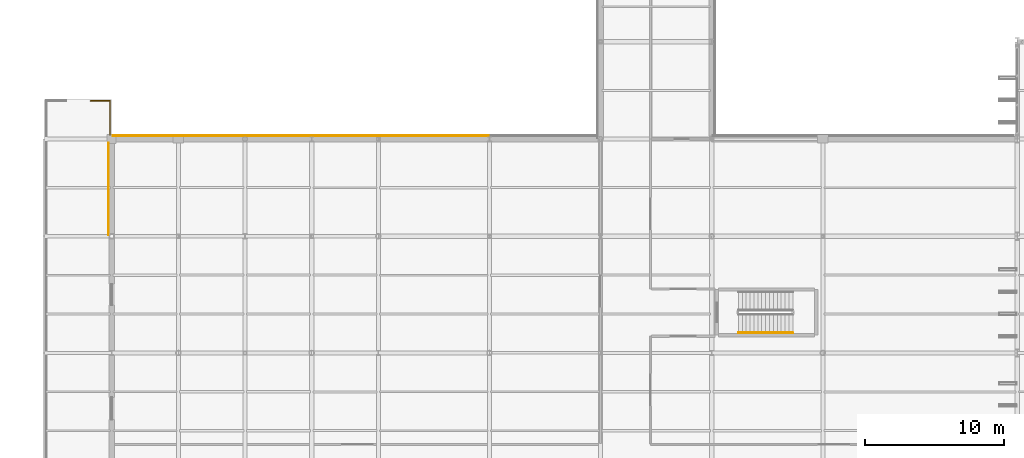
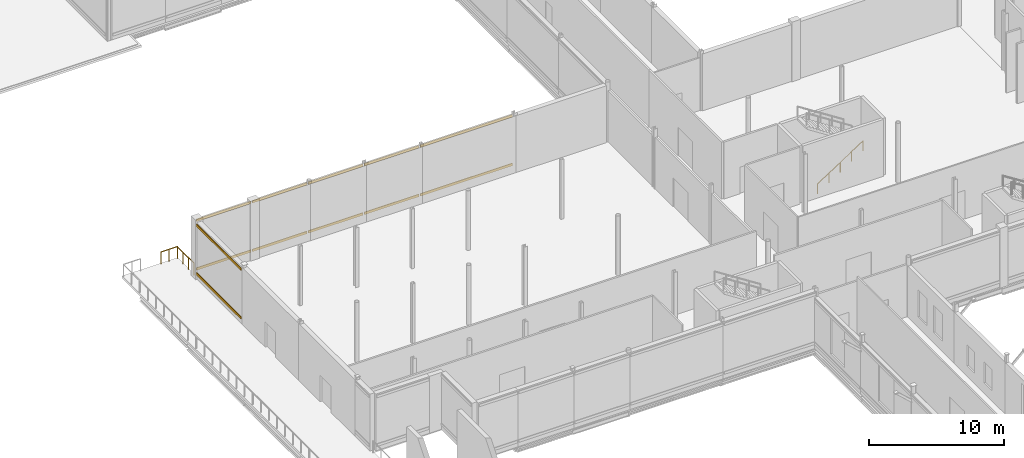
# One storey, part 136 of 147: 12 coverings, 2 railings.
"""IFC4 building model written with IfcOpenShell, lengths in metres."""

from ifc_helpers import new_model, si_unit, direction, frame, origin, origin_2d, place, context, subcontext, project, spatial, rectangle, circle, extrude, material, layer, layer_set, type_object, element, save


model = new_model("IFC4")

# Units and contexts
model_context = context("Model", 3, precision=1e-05, world=origin(), true_north=direction((0.0, 1.0)))
body_context = subcontext(model_context, "Body", "Model", "MODEL_VIEW")
ifc_project = project(units=[si_unit("LENGTHUNIT", "METRE"), si_unit("AREAUNIT", "SQUARE_METRE"), si_unit("VOLUMEUNIT", "CUBIC_METRE"), si_unit("PLANEANGLEUNIT", "RADIAN"), si_unit("MASSUNIT", "GRAM", prefix="KILO")], contexts=[model_context])

# Site, building, storey
site_placement = place(None, origin())
site = spatial("IfcSite", under=ifc_project, at=site_placement, CompositionType="ELEMENT")
building_placement = place(site_placement, origin())
building = spatial("IfcBuilding", under=site, at=building_placement, Name="Vekula Escarpment Museum", CompositionType="ELEMENT")
storey_placement = place(building_placement, frame((0.0, 0.0, 7.800048828125)))
storey = spatial("IfcBuildingStorey", under=building, at=storey_placement, Name="L02", CompositionType="ELEMENT", Elevation=7.800048828125)

# Coverings
ifc_material_1 = material(Name="Polychrome limestone almasik string-course band", Category="masonry")
ifc_layer = layer(ifc_material_1, 0.06005859375)
ifc_layer_set = layer_set([ifc_layer], Name="Polychrome limestone almasik string-course band")
covering_type = type_object("IfcCoveringType", Name="COV-ALM-BAND", PredefinedType="CLADDING", material=ifc_layer_set)
for number, where, z_axis, x_axis, name in (
    (1, (28.0, 83.6259765625, 0.41015625), (0.0, 0.0, 1.0), (1.0, 0.0, 0.0), "Almasik Stone String Course L02-0428"),
    (2, (28.0, 83.6259765625, 4.81982421875), (0.0, 0.0, 1.0), (1.0, 0.0, 0.0), "Almasik Stone String Course L02-0429"),
):
    element("IfcCovering", number, at=place(storey_placement, frame(where, z_axis=z_axis, x_axis=x_axis)), inside=storey, type_object=covering_type, Name=name, PredefinedType="CLADDING", context=body_context, shape_type="SweptSolid", body=[
        extrude(rectangle(XDim=7.8798828125, YDim=0.06005859375, at=origin_2d()), origin(), (0.0, 0.0, 1.0), 0.219970703125),
    ])
for number, where, z_axis, x_axis, name in (
    (3, (21.60009765625, 83.6259765625, 0.41015625), (0.0, 0.0, 1.0), (1.0, 0.0, 0.0), "Almasik Stone String Course L02-0430"),
    (4, (21.60009765625, 83.6259765625, 4.81982421875), (0.0, 0.0, 1.0), (1.0, 0.0, 0.0), "Almasik Stone String Course L02-0431"),
    (5, (16.800048828125, 83.6259765625, 0.41015625), (0.0, 0.0, 1.0), (1.0, 0.0, 0.0), "Almasik Stone String Course L02-0432"),
    (6, (16.800048828125, 83.6259765625, 4.81982421875), (0.0, 0.0, 1.0), (1.0, 0.0, 0.0), "Almasik Stone String Course L02-0433"),
    (7, (12.0, 83.6259765625, 0.41015625), (0.0, 0.0, 1.0), (1.0, 0.0, 0.0), "Almasik Stone String Course L02-0434"),
    (8, (12.0, 83.6259765625, 4.81982421875), (0.0, 0.0, 1.0), (1.0, 0.0, 0.0), "Almasik Stone String Course L02-0435"),
    (9, (7.199951171875, 83.6259765625, 0.41015625), (0.0, 0.0, 1.0), (1.0, 0.0, 0.0), "Almasik Stone String Course L02-0436"),
    (10, (7.199951171875, 83.6259765625, 4.81982421875), (0.0, 0.0, 1.0), (1.0, 0.0, 0.0), "Almasik Stone String Course L02-0437"),
):
    element("IfcCovering", number, at=place(storey_placement, frame(where, z_axis=z_axis, x_axis=x_axis)), inside=storey, type_object=covering_type, Name=name, PredefinedType="CLADDING", context=body_context, shape_type="SweptSolid", body=[
        extrude(rectangle(XDim=4.679931640625, YDim=0.06005859375, at=origin_2d()), origin(), (0.0, 0.0, 1.0), 0.219970703125),
    ])
for number, where, z_axis, x_axis, name in (
    (11, (4.573974609375, 79.798095703125, 0.41015625), (0.0, 0.0, 1.0), (0.0, 1.0, 0.0), "Almasik Stone String Course L02-0438"),
    (12, (4.573974609375, 79.798095703125, 4.81982421875), (0.0, 0.0, 1.0), (0.0, 1.0, 0.0), "Almasik Stone String Course L02-0439"),
):
    element("IfcCovering", number, at=place(storey_placement, frame(where, z_axis=z_axis, x_axis=x_axis)), inside=storey, type_object=covering_type, Name=name, PredefinedType="CLADDING", context=body_context, shape_type="SweptSolid", body=[
        extrude(rectangle(XDim=6.676025390625, YDim=0.06005859375, at=origin_2d()), origin(), (0.0, 0.0, 1.0), 0.219970703125),
    ])

# Railings
ifc_material_2 = material(Name="Brushed stainless steel handrail", Category="steel")
railing_type_1 = type_object("IfcRailingType", Name="RL-STAIR-HAND", PredefinedType="HANDRAIL", material=ifc_material_2)
railing_1_placement = place(storey_placement, frame((49.919921875, 69.449951171875, 0.179931640625)))
element("IfcRailing", 13, at=railing_1_placement, inside=storey, type_object=railing_type_1, Name="L02 ST-10 stair handrail 1", PredefinedType="HANDRAIL", context=body_context, shape_type="SweptSolid", body=[
    extrude(circle(Radius=0.02392578125, at=origin_2d()), frame((0.0, 0.0, 0.8759765625), z_axis=(0.841186985886, 0.0, 0.540744352514), x_axis=(0.0, 1.0, 0.0)), (0.0, 0.0, 1.0), 4.660400390625),
    extrude(circle(Radius=0.02099609375, at=origin_2d()), origin(), (0.0, 0.0, 1.0), 0.851806640625),
    extrude(circle(Radius=0.02099609375, at=origin_2d()), frame((0.97998046875, 0.0, 0.6298828125)), (0.0, 0.0, 1.0), 0.851806640625),
    extrude(circle(Radius=0.02099609375, at=origin_2d()), frame((1.9599609375, 0.0, 1.260009765625)), (0.0, 0.0, 1.0), 0.851806640625),
    extrude(circle(Radius=0.02099609375, at=origin_2d()), frame((2.940185546875, 0.0, 1.89013671875)), (0.0, 0.0, 1.0), 0.851806640625),
    extrude(circle(Radius=0.02099609375, at=origin_2d()), frame((3.920166015625, 0.0, 2.52001953125)), (0.0, 0.0, 1.0), 0.851806640625),
])
ifc_material_3 = material(Name="Bronze-coated Steel S355 balustrade", Category="steel")
railing_type_2 = type_object("IfcRailingType", Name="RL-TER-GUARD", PredefinedType="GUARDRAIL", material=ifc_material_3)
railing_2_placement = place(storey_placement, frame((3.280029296875, 86.14990234375, 0.0)))
element("IfcRailing", 14, at=railing_2_placement, inside=storey, type_object=railing_type_2, Name="Terrace Balustrade L02-022", PredefinedType="GUARDRAIL", context=body_context, shape_type="SweptSolid", body=[
    extrude(circle(Radius=0.02392578125, at=origin_2d()), frame((0.0, 0.0, 1.076171875), z_axis=(1.0, 0.0, 0.0), x_axis=(0.0, 1.0, 0.0)), (0.0, 0.0, 1.0), 1.409912109375),
    extrude(circle(Radius=0.02392578125, at=origin_2d()), frame((1.409912109375, 0.0, 1.076171875), z_axis=(0.0, -1.0, 0.0), x_axis=(1.0, 0.0, 0.0)), (0.0, 0.0, 1.0), 2.469970703125),
    extrude(circle(Radius=0.02099609375, at=origin_2d()), origin(), (0.0, 0.0, 1.0), 1.052001953125),
    extrude(circle(Radius=0.02099609375, at=origin_2d()), frame((0.705078125, 0.0, 0.0)), (0.0, 0.0, 1.0), 1.052001953125),
    extrude(circle(Radius=0.02099609375, at=origin_2d()), frame((1.409912109375, 0.0, 0.0)), (0.0, 0.0, 1.0), 1.052001953125),
    extrude(circle(Radius=0.02099609375, at=origin_2d()), frame((1.409912109375, -0.8232421875, 0.0)), (0.0, 0.0, 1.0), 1.052001953125),
    extrude(circle(Radius=0.02099609375, at=origin_2d()), frame((1.409912109375, -1.646728515625, 0.0)), (0.0, 0.0, 1.0), 1.052001953125),
    extrude(circle(Radius=0.02099609375, at=origin_2d()), frame((1.409912109375, -2.469970703125, 0.0)), (0.0, 0.0, 1.0), 1.052001953125),
])

save(model, "model.ifc")
